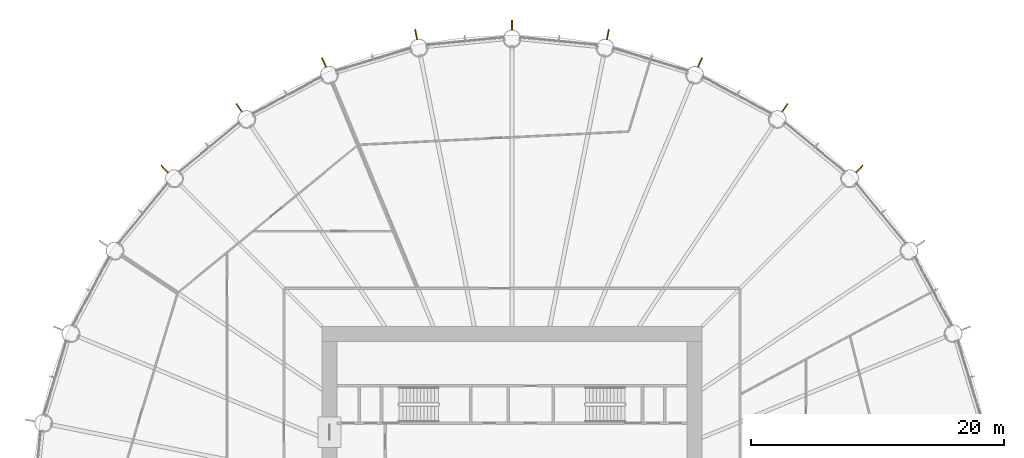
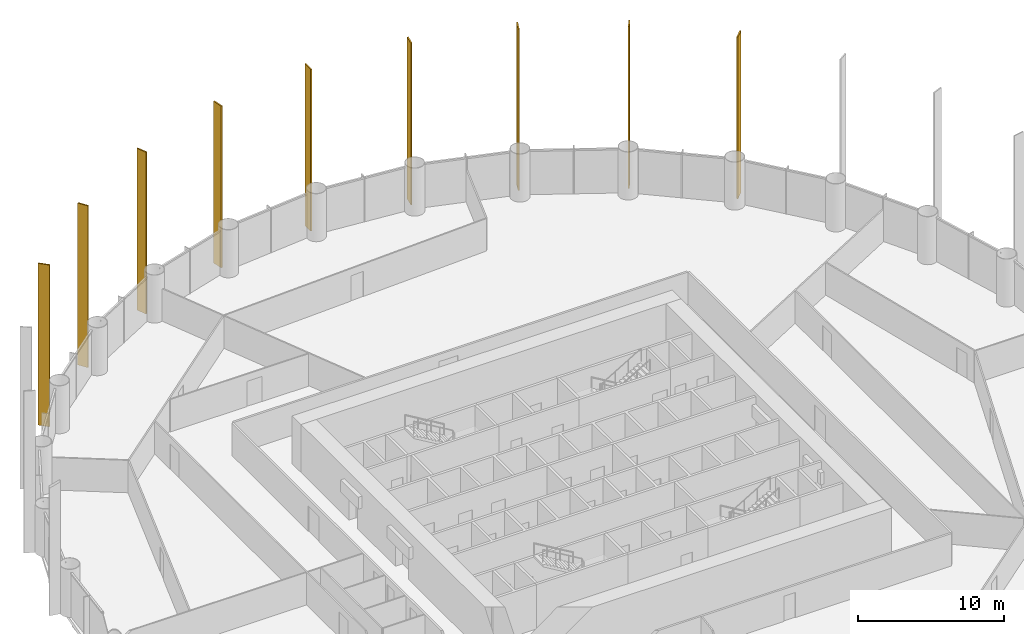
# One storey, part 14 of 14: 9 shading devices.
"""IFC4 building model written with IfcOpenShell, lengths in metres."""

from ifc_helpers import new_model, si_unit, direction, frame, origin, origin_2d, place, context, subcontext, project, spatial, rectangle, extrude, material, material_profile, profile_set, type_object, element, save


model = new_model("IFC4")

# Units and contexts
model_context = context("Model", 3, precision=1e-05, world=origin(), true_north=direction((0.0, 1.0)))
body_context = subcontext(model_context, "Body", "Model", "MODEL_VIEW")
ifc_project = project(units=[si_unit("LENGTHUNIT", "METRE"), si_unit("AREAUNIT", "SQUARE_METRE"), si_unit("VOLUMEUNIT", "CUBIC_METRE"), si_unit("PLANEANGLEUNIT", "RADIAN"), si_unit("MASSUNIT", "GRAM", prefix="KILO")], contexts=[model_context])

# Site, building, storey
site_placement = place(None, origin())
site = spatial("IfcSite", under=ifc_project, at=site_placement, CompositionType="ELEMENT")
building_placement = place(site_placement, origin())
building = spatial("IfcBuilding", under=site, at=building_placement, Name="Corvane Civic Tower", CompositionType="ELEMENT")
storey_placement = place(building_placement, frame((0.0, 0.0, 77.0)))
storey = spatial("IfcBuildingStorey", under=building, at=storey_placement, Name="L17", CompositionType="ELEMENT", Elevation=77.0)

# Shading devices
ifc_material = material(Name="Anodised aluminium bronze", Category="aluminium")
ifc_material_profile = material_profile(ifc_material, rectangle(XDim=0.10009765625, YDim=0.800048828125, at=origin_2d()), Name="TOWER FIN STACK 100x800 BRONZE")
ifc_profile_set = profile_set([ifc_material_profile], Name="Anodised aluminium bronze")
shading_device_type = type_object("IfcShadingDeviceType", Name="TOWER FIN STACK 100x800 BRONZE", PredefinedType="USERDEFINED", material=ifc_profile_set)
for number, where, z_axis, x_axis, name in (
    (1, (0.0, 38.780029296875, 0.0), (0.0, 0.0, 1.0), (1.0, 0.0, 0.0), "Fin 01 L17 to L19"),
    (2, (7.565673828125, 38.034912109375, 0.0), (0.0, 0.0, 1.0), (0.980785280403, -0.195090322016, 0.0), "Fin 02 L17 to L19"),
    (3, (14.840576171875, 35.828125, 0.0), (0.0, 0.0, 1.0), (0.923879532511, -0.382683432365, 0.0), "Fin 03 L17 to L19"),
    (4, (21.544921875, 32.244384765625, 0.0), (0.0, 0.0, 1.0), (0.831469612303, -0.55557023302, 0.0), "Fin 04 L17 to L19"),
    (5, (27.421630859375, 27.421630859375, 0.0), (0.0, 0.0, 1.0), (0.707106781187, -0.707106781187, 0.0), "Fin 05 L17 to L19"),
    (6, (-27.421630859375, 27.421630859375, 0.0), (0.0, 0.0, 1.0), (0.707106781187, 0.707106781187, 0.0), "Fin 29 L17 to L19"),
    (7, (-21.544921875, 32.244384765625, 0.0), (0.0, 0.0, 1.0), (0.831469612303, 0.55557023302, 0.0), "Fin 30 L17 to L19"),
    (8, (-14.840576171875, 35.828125, 0.0), (0.0, 0.0, 1.0), (0.923879532511, 0.382683432365, 0.0), "Fin 31 L17 to L19"),
    (9, (-7.565673828125, 38.034912109375, 0.0), (0.0, 0.0, 1.0), (0.980785280403, 0.195090322016, 0.0), "Fin 32 L17 to L19"),
):
    element("IfcShadingDevice", number, at=place(storey_placement, frame(where, z_axis=z_axis, x_axis=x_axis)), inside=storey, type_object=shading_device_type, Name=name, ObjectType="FIN", PredefinedType="USERDEFINED", context=body_context, shape_type="SweptSolid", body=[
        extrude(rectangle(XDim=0.10009765625, YDim=0.800048828125, at=origin_2d()), origin(), (0.0, 0.0, 1.0), 13.5),
    ])

save(model, "model.ifc")
